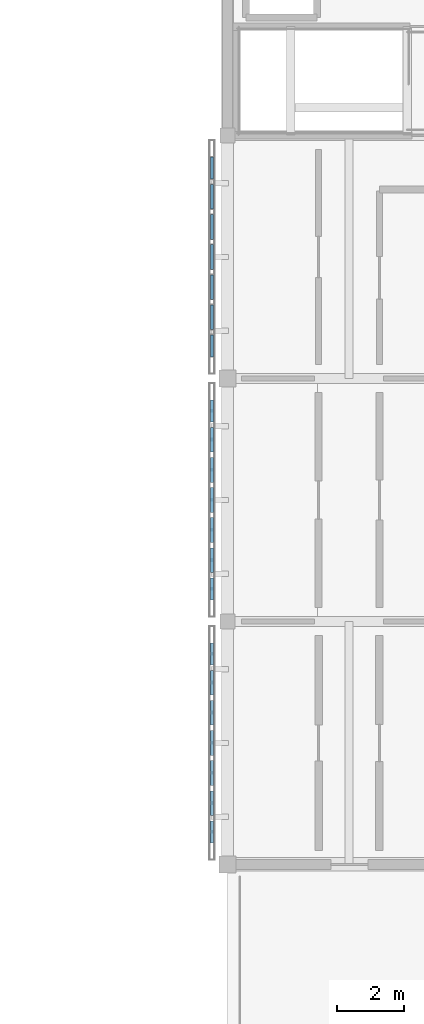
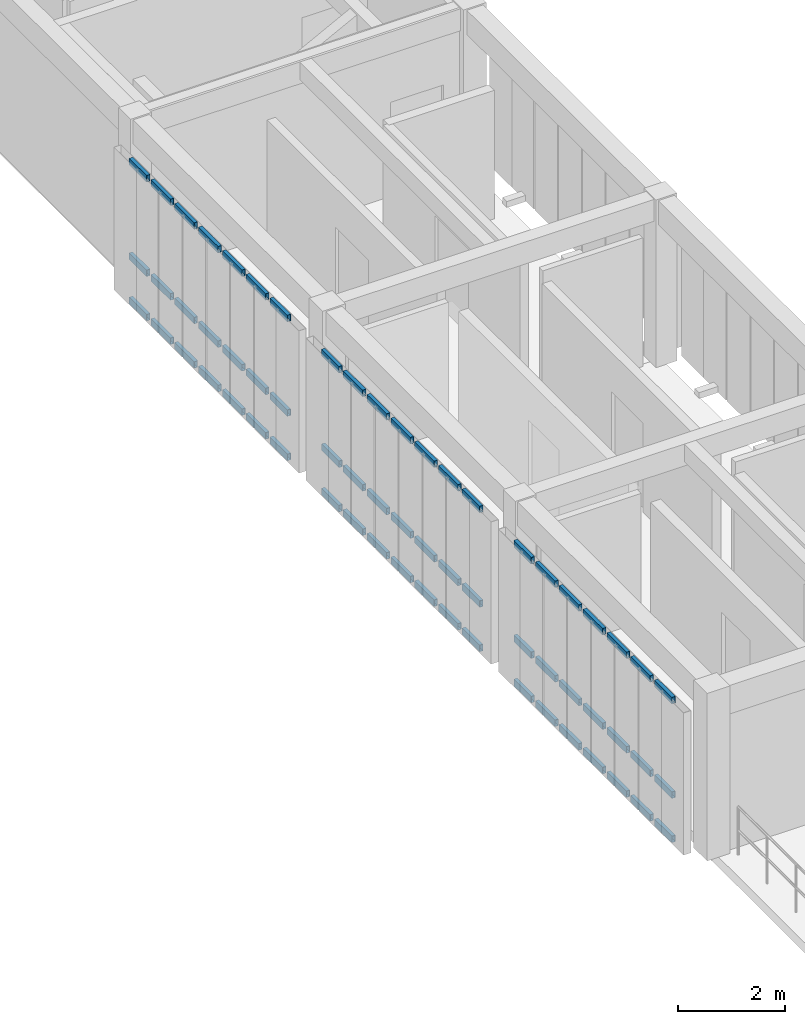
# One storey, part 11 of 33: 63 members, 3 elements without a shape of their own.
"""IFC4 building model written with IfcOpenShell, lengths in metres."""

from ifc_helpers import new_model, si_unit, direction, frame, origin, origin_2d, place, context, subcontext, project, spatial, hollow_rectangle, extrude, material, material_profile, profile_set, type_object, element, aggregate, save


model = new_model("IFC4")

# Units and contexts
model_context = context("Model", 3, precision=1e-05, world=origin(), true_north=direction((0.0, 1.0)))
body_context = subcontext(model_context, "Body", "Model", "MODEL_VIEW")
ifc_project = project(units=[si_unit("LENGTHUNIT", "METRE"), si_unit("AREAUNIT", "SQUARE_METRE"), si_unit("VOLUMEUNIT", "CUBIC_METRE"), si_unit("PLANEANGLEUNIT", "RADIAN"), si_unit("MASSUNIT", "GRAM", prefix="KILO")], contexts=[model_context])

# Site, building, storey
site_placement = place(None, origin())
site = spatial("IfcSite", under=ifc_project, at=site_placement, CompositionType="ELEMENT")
building_placement = place(site_placement, origin())
building = spatial("IfcBuilding", under=site, at=building_placement, Name="Aldebral Square Health Centre", CompositionType="ELEMENT")
storey_placement = place(building_placement, frame((0.0, 0.0, 17.550048828125)))
storey = spatial("IfcBuildingStorey", under=building, at=storey_placement, Name="L04", CompositionType="ELEMENT", Elevation=17.550048828125)

# Curtain wall, members
ifc_material_1 = material(Name="Aluminium and low-E solar glass", Category="aluminium")
curtain_wall_type = type_object("IfcCurtainWallType", Name="CW-FIN-SYS", PredefinedType="USERDEFINED", material=ifc_material_1)
curtain_wall_1_placement = place(storey_placement, origin())
curtain_wall_1 = element("IfcCurtainWall", 1, at=curtain_wall_1_placement, inside=storey, type_object=curtain_wall_type, Name="L04 V5 finned curtain wall L04-V5-22-10-W", ObjectType="SOLAR_CURTAIN_WALL", PredefinedType="USERDEFINED")
ifc_material_2 = material(Name="Anodised aluminium transom", Category="aluminium")
ifc_material_profile = material_profile(ifc_material_2, hollow_rectangle(XDim=0.074951171875, YDim=0.14990234375, WallThickness=0.00390625, at=origin_2d()), Name="CWT 75x150x4")
ifc_profile_set = profile_set([ifc_material_profile], Name="Anodised aluminium transom")
member_type = type_object("IfcMemberType", Name="CWT-STD", PredefinedType="USERDEFINED", material=ifc_profile_set)
member_1_placement = place(storey_placement, frame((157.93994140625, 78.56005859375, 0.037353515625), z_axis=(0.0, -1.0, 0.0), x_axis=(1.0, 0.0, 0.0)))
member_1 = element("IfcMember", 2, at=member_1_placement, type_object=member_type, Name="CW1 transom 1.1", ObjectType="TRANSOM", PredefinedType="USERDEFINED", context=body_context, shape_type="SweptSolid", body=[
    extrude(hollow_rectangle(XDim=0.074951171875, YDim=0.14990234375, WallThickness=0.00390625, at=origin_2d()), origin(), (0.0, 0.0, 1.0), 0.6513671875),
])
member_2_placement = place(storey_placement, frame((157.93994140625, 78.56005859375, 1.050048828125), z_axis=(0.0, -1.0, 0.0), x_axis=(1.0, 0.0, 0.0)))
member_2 = element("IfcMember", 3, at=member_2_placement, type_object=member_type, Name="CW1 transom 1.2", ObjectType="TRANSOM", PredefinedType="USERDEFINED", context=body_context, shape_type="SweptSolid", body=[
    extrude(hollow_rectangle(XDim=0.074951171875, YDim=0.14990234375, WallThickness=0.00390625, at=origin_2d()), origin(), (0.0, 0.0, 1.0), 0.6513671875),
])
member_3_placement = place(storey_placement, frame((157.93994140625, 78.56005859375, 3.21240234375), z_axis=(0.0, -1.0, 0.0), x_axis=(1.0, 0.0, 0.0)))
member_3 = element("IfcMember", 4, at=member_3_placement, type_object=member_type, Name="CW1 transom 1.3", ObjectType="TRANSOM", PredefinedType="USERDEFINED", context=body_context, shape_type="SweptSolid", body=[
    extrude(hollow_rectangle(XDim=0.074951171875, YDim=0.14990234375, WallThickness=0.00390625, at=origin_2d()), origin(), (0.0, 0.0, 1.0), 0.6513671875),
])
member_4_placement = place(storey_placement, frame((157.93994140625, 77.74853515625, 0.037353515625), z_axis=(0.0, -1.0, 0.0), x_axis=(1.0, 0.0, 0.0)))
member_4 = element("IfcMember", 5, at=member_4_placement, type_object=member_type, Name="CW1 transom 2.1", ObjectType="TRANSOM", PredefinedType="USERDEFINED", context=body_context, shape_type="SweptSolid", body=[
    extrude(hollow_rectangle(XDim=0.074951171875, YDim=0.14990234375, WallThickness=0.00390625, at=origin_2d()), origin(), (0.0, 0.0, 1.0), 0.7314453125),
])
member_5_placement = place(storey_placement, frame((157.93994140625, 77.74853515625, 1.050048828125), z_axis=(0.0, -1.0, 0.0), x_axis=(1.0, 0.0, 0.0)))
member_5 = element("IfcMember", 6, at=member_5_placement, type_object=member_type, Name="CW1 transom 2.2", ObjectType="TRANSOM", PredefinedType="USERDEFINED", context=body_context, shape_type="SweptSolid", body=[
    extrude(hollow_rectangle(XDim=0.074951171875, YDim=0.14990234375, WallThickness=0.00390625, at=origin_2d()), origin(), (0.0, 0.0, 1.0), 0.7314453125),
])
member_6_placement = place(storey_placement, frame((157.93994140625, 77.74853515625, 3.21240234375), z_axis=(0.0, -1.0, 0.0), x_axis=(1.0, 0.0, 0.0)))
member_6 = element("IfcMember", 7, at=member_6_placement, type_object=member_type, Name="CW1 transom 2.3", ObjectType="TRANSOM", PredefinedType="USERDEFINED", context=body_context, shape_type="SweptSolid", body=[
    extrude(hollow_rectangle(XDim=0.074951171875, YDim=0.14990234375, WallThickness=0.00390625, at=origin_2d()), origin(), (0.0, 0.0, 1.0), 0.7314453125),
])
member_7_placement = place(storey_placement, frame((157.93994140625, 76.857177734375, 0.037353515625), z_axis=(0.0, -1.0, 0.0), x_axis=(1.0, 0.0, 0.0)))
member_7 = element("IfcMember", 8, at=member_7_placement, type_object=member_type, Name="CW1 transom 3.1", ObjectType="TRANSOM", PredefinedType="USERDEFINED", context=body_context, shape_type="SweptSolid", body=[
    extrude(hollow_rectangle(XDim=0.074951171875, YDim=0.14990234375, WallThickness=0.00390625, at=origin_2d()), origin(), (0.0, 0.0, 1.0), 0.7314453125),
])
member_8_placement = place(storey_placement, frame((157.93994140625, 76.857177734375, 1.050048828125), z_axis=(0.0, -1.0, 0.0), x_axis=(1.0, 0.0, 0.0)))
member_8 = element("IfcMember", 9, at=member_8_placement, type_object=member_type, Name="CW1 transom 3.2", ObjectType="TRANSOM", PredefinedType="USERDEFINED", context=body_context, shape_type="SweptSolid", body=[
    extrude(hollow_rectangle(XDim=0.074951171875, YDim=0.14990234375, WallThickness=0.00390625, at=origin_2d()), origin(), (0.0, 0.0, 1.0), 0.7314453125),
])
member_9_placement = place(storey_placement, frame((157.93994140625, 76.857177734375, 3.21240234375), z_axis=(0.0, -1.0, 0.0), x_axis=(1.0, 0.0, 0.0)))
member_9 = element("IfcMember", 10, at=member_9_placement, type_object=member_type, Name="CW1 transom 3.3", ObjectType="TRANSOM", PredefinedType="USERDEFINED", context=body_context, shape_type="SweptSolid", body=[
    extrude(hollow_rectangle(XDim=0.074951171875, YDim=0.14990234375, WallThickness=0.00390625, at=origin_2d()), origin(), (0.0, 0.0, 1.0), 0.7314453125),
])
member_10_placement = place(storey_placement, frame((157.93994140625, 75.9658203125, 0.037353515625), z_axis=(0.0, -1.0, 0.0), x_axis=(1.0, 0.0, 0.0)))
member_10 = element("IfcMember", 11, at=member_10_placement, type_object=member_type, Name="CW1 transom 4.1", ObjectType="TRANSOM", PredefinedType="USERDEFINED", context=body_context, shape_type="SweptSolid", body=[
    extrude(hollow_rectangle(XDim=0.074951171875, YDim=0.14990234375, WallThickness=0.00390625, at=origin_2d()), origin(), (0.0, 0.0, 1.0), 0.7314453125),
])
member_11_placement = place(storey_placement, frame((157.93994140625, 75.9658203125, 1.050048828125), z_axis=(0.0, -1.0, 0.0), x_axis=(1.0, 0.0, 0.0)))
member_11 = element("IfcMember", 12, at=member_11_placement, type_object=member_type, Name="CW1 transom 4.2", ObjectType="TRANSOM", PredefinedType="USERDEFINED", context=body_context, shape_type="SweptSolid", body=[
    extrude(hollow_rectangle(XDim=0.074951171875, YDim=0.14990234375, WallThickness=0.00390625, at=origin_2d()), origin(), (0.0, 0.0, 1.0), 0.7314453125),
])
member_12_placement = place(storey_placement, frame((157.93994140625, 75.9658203125, 3.21240234375), z_axis=(0.0, -1.0, 0.0), x_axis=(1.0, 0.0, 0.0)))
member_12 = element("IfcMember", 13, at=member_12_placement, type_object=member_type, Name="CW1 transom 4.3", ObjectType="TRANSOM", PredefinedType="USERDEFINED", context=body_context, shape_type="SweptSolid", body=[
    extrude(hollow_rectangle(XDim=0.074951171875, YDim=0.14990234375, WallThickness=0.00390625, at=origin_2d()), origin(), (0.0, 0.0, 1.0), 0.7314453125),
])
member_13_placement = place(storey_placement, frame((157.93994140625, 75.07421875, 0.037353515625), z_axis=(0.0, -1.0, 0.0), x_axis=(1.0, 0.0, 0.0)))
member_13 = element("IfcMember", 14, at=member_13_placement, type_object=member_type, Name="CW1 transom 5.1", ObjectType="TRANSOM", PredefinedType="USERDEFINED", context=body_context, shape_type="SweptSolid", body=[
    extrude(hollow_rectangle(XDim=0.074951171875, YDim=0.14990234375, WallThickness=0.00390625, at=origin_2d()), origin(), (0.0, 0.0, 1.0), 0.7314453125),
])
member_14_placement = place(storey_placement, frame((157.93994140625, 75.07421875, 1.050048828125), z_axis=(0.0, -1.0, 0.0), x_axis=(1.0, 0.0, 0.0)))
member_14 = element("IfcMember", 15, at=member_14_placement, type_object=member_type, Name="CW1 transom 5.2", ObjectType="TRANSOM", PredefinedType="USERDEFINED", context=body_context, shape_type="SweptSolid", body=[
    extrude(hollow_rectangle(XDim=0.074951171875, YDim=0.14990234375, WallThickness=0.00390625, at=origin_2d()), origin(), (0.0, 0.0, 1.0), 0.7314453125),
])
member_15_placement = place(storey_placement, frame((157.93994140625, 75.07421875, 3.21240234375), z_axis=(0.0, -1.0, 0.0), x_axis=(1.0, 0.0, 0.0)))
member_15 = element("IfcMember", 16, at=member_15_placement, type_object=member_type, Name="CW1 transom 5.3", ObjectType="TRANSOM", PredefinedType="USERDEFINED", context=body_context, shape_type="SweptSolid", body=[
    extrude(hollow_rectangle(XDim=0.074951171875, YDim=0.14990234375, WallThickness=0.00390625, at=origin_2d()), origin(), (0.0, 0.0, 1.0), 0.7314453125),
])
member_16_placement = place(storey_placement, frame((157.93994140625, 74.182861328125, 0.037353515625), z_axis=(0.0, -1.0, 0.0), x_axis=(1.0, 0.0, 0.0)))
member_16 = element("IfcMember", 17, at=member_16_placement, type_object=member_type, Name="CW1 transom 6.1", ObjectType="TRANSOM", PredefinedType="USERDEFINED", context=body_context, shape_type="SweptSolid", body=[
    extrude(hollow_rectangle(XDim=0.074951171875, YDim=0.14990234375, WallThickness=0.00390625, at=origin_2d()), origin(), (0.0, 0.0, 1.0), 0.7314453125),
])
member_17_placement = place(storey_placement, frame((157.93994140625, 74.182861328125, 1.050048828125), z_axis=(0.0, -1.0, 0.0), x_axis=(1.0, 0.0, 0.0)))
member_17 = element("IfcMember", 18, at=member_17_placement, type_object=member_type, Name="CW1 transom 6.2", ObjectType="TRANSOM", PredefinedType="USERDEFINED", context=body_context, shape_type="SweptSolid", body=[
    extrude(hollow_rectangle(XDim=0.074951171875, YDim=0.14990234375, WallThickness=0.00390625, at=origin_2d()), origin(), (0.0, 0.0, 1.0), 0.7314453125),
])
member_18_placement = place(storey_placement, frame((157.93994140625, 74.182861328125, 3.21240234375), z_axis=(0.0, -1.0, 0.0), x_axis=(1.0, 0.0, 0.0)))
member_18 = element("IfcMember", 19, at=member_18_placement, type_object=member_type, Name="CW1 transom 6.3", ObjectType="TRANSOM", PredefinedType="USERDEFINED", context=body_context, shape_type="SweptSolid", body=[
    extrude(hollow_rectangle(XDim=0.074951171875, YDim=0.14990234375, WallThickness=0.00390625, at=origin_2d()), origin(), (0.0, 0.0, 1.0), 0.7314453125),
])
member_19_placement = place(storey_placement, frame((157.93994140625, 73.29150390625, 0.037353515625), z_axis=(0.0, -1.0, 0.0), x_axis=(1.0, 0.0, 0.0)))
member_19 = element("IfcMember", 20, at=member_19_placement, type_object=member_type, Name="CW1 transom 7.1", ObjectType="TRANSOM", PredefinedType="USERDEFINED", context=body_context, shape_type="SweptSolid", body=[
    extrude(hollow_rectangle(XDim=0.074951171875, YDim=0.14990234375, WallThickness=0.00390625, at=origin_2d()), origin(), (0.0, 0.0, 1.0), 0.651611328125),
])
member_20_placement = place(storey_placement, frame((157.93994140625, 73.29150390625, 1.050048828125), z_axis=(0.0, -1.0, 0.0), x_axis=(1.0, 0.0, 0.0)))
member_20 = element("IfcMember", 21, at=member_20_placement, type_object=member_type, Name="CW1 transom 7.2", ObjectType="TRANSOM", PredefinedType="USERDEFINED", context=body_context, shape_type="SweptSolid", body=[
    extrude(hollow_rectangle(XDim=0.074951171875, YDim=0.14990234375, WallThickness=0.00390625, at=origin_2d()), origin(), (0.0, 0.0, 1.0), 0.651611328125),
])
member_21_placement = place(storey_placement, frame((157.93994140625, 73.29150390625, 3.21240234375), z_axis=(0.0, -1.0, 0.0), x_axis=(1.0, 0.0, 0.0)))
member_21 = element("IfcMember", 22, at=member_21_placement, type_object=member_type, Name="CW1 transom 7.3", ObjectType="TRANSOM", PredefinedType="USERDEFINED", context=body_context, shape_type="SweptSolid", body=[
    extrude(hollow_rectangle(XDim=0.074951171875, YDim=0.14990234375, WallThickness=0.00390625, at=origin_2d()), origin(), (0.0, 0.0, 1.0), 0.651611328125),
])
aggregate(curtain_wall_1, [member_1, member_2, member_3, member_4, member_5, member_6, member_7, member_8, member_9, member_10, member_11, member_12, member_13, member_14, member_15, member_16, member_17, member_18, member_19, member_20, member_21])

curtain_wall_2_placement = place(storey_placement, origin())
curtain_wall_2 = element("IfcCurtainWall", 23, at=curtain_wall_2_placement, inside=storey, type_object=curtain_wall_type, Name="L04 V5 finned curtain wall L04-V5-22-11-W", ObjectType="SOLAR_CURTAIN_WALL", PredefinedType="USERDEFINED")
member_22_placement = place(storey_placement, frame((157.93994140625, 85.760009765625, 0.037353515625), z_axis=(0.0, -1.0, 0.0), x_axis=(1.0, 0.0, 0.0)))
member_22 = element("IfcMember", 24, at=member_22_placement, type_object=member_type, Name="CW1 transom 1.1", ObjectType="TRANSOM", PredefinedType="USERDEFINED", context=body_context, shape_type="SweptSolid", body=[
    extrude(hollow_rectangle(XDim=0.074951171875, YDim=0.14990234375, WallThickness=0.00390625, at=origin_2d()), origin(), (0.0, 0.0, 1.0), 0.6513671875),
])
member_23_placement = place(storey_placement, frame((157.93994140625, 85.760009765625, 1.050048828125), z_axis=(0.0, -1.0, 0.0), x_axis=(1.0, 0.0, 0.0)))
member_23 = element("IfcMember", 25, at=member_23_placement, type_object=member_type, Name="CW1 transom 1.2", ObjectType="TRANSOM", PredefinedType="USERDEFINED", context=body_context, shape_type="SweptSolid", body=[
    extrude(hollow_rectangle(XDim=0.074951171875, YDim=0.14990234375, WallThickness=0.00390625, at=origin_2d()), origin(), (0.0, 0.0, 1.0), 0.6513671875),
])
member_24_placement = place(storey_placement, frame((157.93994140625, 85.760009765625, 3.21240234375), z_axis=(0.0, -1.0, 0.0), x_axis=(1.0, 0.0, 0.0)))
member_24 = element("IfcMember", 26, at=member_24_placement, type_object=member_type, Name="CW1 transom 1.3", ObjectType="TRANSOM", PredefinedType="USERDEFINED", context=body_context, shape_type="SweptSolid", body=[
    extrude(hollow_rectangle(XDim=0.074951171875, YDim=0.14990234375, WallThickness=0.00390625, at=origin_2d()), origin(), (0.0, 0.0, 1.0), 0.6513671875),
])
member_25_placement = place(storey_placement, frame((157.93994140625, 84.948486328125, 0.037353515625), z_axis=(0.0, -1.0, 0.0), x_axis=(1.0, 0.0, 0.0)))
member_25 = element("IfcMember", 27, at=member_25_placement, type_object=member_type, Name="CW1 transom 2.1", ObjectType="TRANSOM", PredefinedType="USERDEFINED", context=body_context, shape_type="SweptSolid", body=[
    extrude(hollow_rectangle(XDim=0.074951171875, YDim=0.14990234375, WallThickness=0.00390625, at=origin_2d()), origin(), (0.0, 0.0, 1.0), 0.7314453125),
])
member_26_placement = place(storey_placement, frame((157.93994140625, 84.948486328125, 1.050048828125), z_axis=(0.0, -1.0, 0.0), x_axis=(1.0, 0.0, 0.0)))
member_26 = element("IfcMember", 28, at=member_26_placement, type_object=member_type, Name="CW1 transom 2.2", ObjectType="TRANSOM", PredefinedType="USERDEFINED", context=body_context, shape_type="SweptSolid", body=[
    extrude(hollow_rectangle(XDim=0.074951171875, YDim=0.14990234375, WallThickness=0.00390625, at=origin_2d()), origin(), (0.0, 0.0, 1.0), 0.7314453125),
])
member_27_placement = place(storey_placement, frame((157.93994140625, 84.948486328125, 3.21240234375), z_axis=(0.0, -1.0, 0.0), x_axis=(1.0, 0.0, 0.0)))
member_27 = element("IfcMember", 29, at=member_27_placement, type_object=member_type, Name="CW1 transom 2.3", ObjectType="TRANSOM", PredefinedType="USERDEFINED", context=body_context, shape_type="SweptSolid", body=[
    extrude(hollow_rectangle(XDim=0.074951171875, YDim=0.14990234375, WallThickness=0.00390625, at=origin_2d()), origin(), (0.0, 0.0, 1.0), 0.7314453125),
])
member_28_placement = place(storey_placement, frame((157.93994140625, 84.05712890625, 0.037353515625), z_axis=(0.0, -1.0, 0.0), x_axis=(1.0, 0.0, 0.0)))
member_28 = element("IfcMember", 30, at=member_28_placement, type_object=member_type, Name="CW1 transom 3.1", ObjectType="TRANSOM", PredefinedType="USERDEFINED", context=body_context, shape_type="SweptSolid", body=[
    extrude(hollow_rectangle(XDim=0.074951171875, YDim=0.14990234375, WallThickness=0.00390625, at=origin_2d()), origin(), (0.0, 0.0, 1.0), 0.7314453125),
])
member_29_placement = place(storey_placement, frame((157.93994140625, 84.05712890625, 1.050048828125), z_axis=(0.0, -1.0, 0.0), x_axis=(1.0, 0.0, 0.0)))
member_29 = element("IfcMember", 31, at=member_29_placement, type_object=member_type, Name="CW1 transom 3.2", ObjectType="TRANSOM", PredefinedType="USERDEFINED", context=body_context, shape_type="SweptSolid", body=[
    extrude(hollow_rectangle(XDim=0.074951171875, YDim=0.14990234375, WallThickness=0.00390625, at=origin_2d()), origin(), (0.0, 0.0, 1.0), 0.7314453125),
])
member_30_placement = place(storey_placement, frame((157.93994140625, 84.05712890625, 3.21240234375), z_axis=(0.0, -1.0, 0.0), x_axis=(1.0, 0.0, 0.0)))
member_30 = element("IfcMember", 32, at=member_30_placement, type_object=member_type, Name="CW1 transom 3.3", ObjectType="TRANSOM", PredefinedType="USERDEFINED", context=body_context, shape_type="SweptSolid", body=[
    extrude(hollow_rectangle(XDim=0.074951171875, YDim=0.14990234375, WallThickness=0.00390625, at=origin_2d()), origin(), (0.0, 0.0, 1.0), 0.7314453125),
])
member_31_placement = place(storey_placement, frame((157.93994140625, 83.165771484375, 0.037353515625), z_axis=(0.0, -1.0, 0.0), x_axis=(1.0, 0.0, 0.0)))
member_31 = element("IfcMember", 33, at=member_31_placement, type_object=member_type, Name="CW1 transom 4.1", ObjectType="TRANSOM", PredefinedType="USERDEFINED", context=body_context, shape_type="SweptSolid", body=[
    extrude(hollow_rectangle(XDim=0.074951171875, YDim=0.14990234375, WallThickness=0.00390625, at=origin_2d()), origin(), (0.0, 0.0, 1.0), 0.7314453125),
])
member_32_placement = place(storey_placement, frame((157.93994140625, 83.165771484375, 1.050048828125), z_axis=(0.0, -1.0, 0.0), x_axis=(1.0, 0.0, 0.0)))
member_32 = element("IfcMember", 34, at=member_32_placement, type_object=member_type, Name="CW1 transom 4.2", ObjectType="TRANSOM", PredefinedType="USERDEFINED", context=body_context, shape_type="SweptSolid", body=[
    extrude(hollow_rectangle(XDim=0.074951171875, YDim=0.14990234375, WallThickness=0.00390625, at=origin_2d()), origin(), (0.0, 0.0, 1.0), 0.7314453125),
])
member_33_placement = place(storey_placement, frame((157.93994140625, 83.165771484375, 3.21240234375), z_axis=(0.0, -1.0, 0.0), x_axis=(1.0, 0.0, 0.0)))
member_33 = element("IfcMember", 35, at=member_33_placement, type_object=member_type, Name="CW1 transom 4.3", ObjectType="TRANSOM", PredefinedType="USERDEFINED", context=body_context, shape_type="SweptSolid", body=[
    extrude(hollow_rectangle(XDim=0.074951171875, YDim=0.14990234375, WallThickness=0.00390625, at=origin_2d()), origin(), (0.0, 0.0, 1.0), 0.7314453125),
])
member_34_placement = place(storey_placement, frame((157.93994140625, 82.274169921875, 0.037353515625), z_axis=(0.0, -1.0, 0.0), x_axis=(1.0, 0.0, 0.0)))
member_34 = element("IfcMember", 36, at=member_34_placement, type_object=member_type, Name="CW1 transom 5.1", ObjectType="TRANSOM", PredefinedType="USERDEFINED", context=body_context, shape_type="SweptSolid", body=[
    extrude(hollow_rectangle(XDim=0.074951171875, YDim=0.14990234375, WallThickness=0.00390625, at=origin_2d()), origin(), (0.0, 0.0, 1.0), 0.731201171875),
])
member_35_placement = place(storey_placement, frame((157.93994140625, 82.274169921875, 1.050048828125), z_axis=(0.0, -1.0, 0.0), x_axis=(1.0, 0.0, 0.0)))
member_35 = element("IfcMember", 37, at=member_35_placement, type_object=member_type, Name="CW1 transom 5.2", ObjectType="TRANSOM", PredefinedType="USERDEFINED", context=body_context, shape_type="SweptSolid", body=[
    extrude(hollow_rectangle(XDim=0.074951171875, YDim=0.14990234375, WallThickness=0.00390625, at=origin_2d()), origin(), (0.0, 0.0, 1.0), 0.731201171875),
])
member_36_placement = place(storey_placement, frame((157.93994140625, 82.274169921875, 3.21240234375), z_axis=(0.0, -1.0, 0.0), x_axis=(1.0, 0.0, 0.0)))
member_36 = element("IfcMember", 38, at=member_36_placement, type_object=member_type, Name="CW1 transom 5.3", ObjectType="TRANSOM", PredefinedType="USERDEFINED", context=body_context, shape_type="SweptSolid", body=[
    extrude(hollow_rectangle(XDim=0.074951171875, YDim=0.14990234375, WallThickness=0.00390625, at=origin_2d()), origin(), (0.0, 0.0, 1.0), 0.731201171875),
])
member_37_placement = place(storey_placement, frame((157.93994140625, 81.3828125, 0.037353515625), z_axis=(0.0, -1.0, 0.0), x_axis=(1.0, 0.0, 0.0)))
member_37 = element("IfcMember", 39, at=member_37_placement, type_object=member_type, Name="CW1 transom 6.1", ObjectType="TRANSOM", PredefinedType="USERDEFINED", context=body_context, shape_type="SweptSolid", body=[
    extrude(hollow_rectangle(XDim=0.074951171875, YDim=0.14990234375, WallThickness=0.00390625, at=origin_2d()), origin(), (0.0, 0.0, 1.0), 0.7314453125),
])
member_38_placement = place(storey_placement, frame((157.93994140625, 81.3828125, 1.050048828125), z_axis=(0.0, -1.0, 0.0), x_axis=(1.0, 0.0, 0.0)))
member_38 = element("IfcMember", 40, at=member_38_placement, type_object=member_type, Name="CW1 transom 6.2", ObjectType="TRANSOM", PredefinedType="USERDEFINED", context=body_context, shape_type="SweptSolid", body=[
    extrude(hollow_rectangle(XDim=0.074951171875, YDim=0.14990234375, WallThickness=0.00390625, at=origin_2d()), origin(), (0.0, 0.0, 1.0), 0.7314453125),
])
member_39_placement = place(storey_placement, frame((157.93994140625, 81.3828125, 3.21240234375), z_axis=(0.0, -1.0, 0.0), x_axis=(1.0, 0.0, 0.0)))
member_39 = element("IfcMember", 41, at=member_39_placement, type_object=member_type, Name="CW1 transom 6.3", ObjectType="TRANSOM", PredefinedType="USERDEFINED", context=body_context, shape_type="SweptSolid", body=[
    extrude(hollow_rectangle(XDim=0.074951171875, YDim=0.14990234375, WallThickness=0.00390625, at=origin_2d()), origin(), (0.0, 0.0, 1.0), 0.7314453125),
])
member_40_placement = place(storey_placement, frame((157.93994140625, 80.491455078125, 0.037353515625), z_axis=(0.0, -1.0, 0.0), x_axis=(1.0, 0.0, 0.0)))
member_40 = element("IfcMember", 42, at=member_40_placement, type_object=member_type, Name="CW1 transom 7.1", ObjectType="TRANSOM", PredefinedType="USERDEFINED", context=body_context, shape_type="SweptSolid", body=[
    extrude(hollow_rectangle(XDim=0.074951171875, YDim=0.14990234375, WallThickness=0.00390625, at=origin_2d()), origin(), (0.0, 0.0, 1.0), 0.6513671875),
])
member_41_placement = place(storey_placement, frame((157.93994140625, 80.491455078125, 1.050048828125), z_axis=(0.0, -1.0, 0.0), x_axis=(1.0, 0.0, 0.0)))
member_41 = element("IfcMember", 43, at=member_41_placement, type_object=member_type, Name="CW1 transom 7.2", ObjectType="TRANSOM", PredefinedType="USERDEFINED", context=body_context, shape_type="SweptSolid", body=[
    extrude(hollow_rectangle(XDim=0.074951171875, YDim=0.14990234375, WallThickness=0.00390625, at=origin_2d()), origin(), (0.0, 0.0, 1.0), 0.6513671875),
])
member_42_placement = place(storey_placement, frame((157.93994140625, 80.491455078125, 3.21240234375), z_axis=(0.0, -1.0, 0.0), x_axis=(1.0, 0.0, 0.0)))
member_42 = element("IfcMember", 44, at=member_42_placement, type_object=member_type, Name="CW1 transom 7.3", ObjectType="TRANSOM", PredefinedType="USERDEFINED", context=body_context, shape_type="SweptSolid", body=[
    extrude(hollow_rectangle(XDim=0.074951171875, YDim=0.14990234375, WallThickness=0.00390625, at=origin_2d()), origin(), (0.0, 0.0, 1.0), 0.6513671875),
])
aggregate(curtain_wall_2, [member_22, member_23, member_24, member_25, member_26, member_27, member_28, member_29, member_30, member_31, member_32, member_33, member_34, member_35, member_36, member_37, member_38, member_39, member_40, member_41, member_42])

curtain_wall_3_placement = place(storey_placement, origin())
curtain_wall_3 = element("IfcCurtainWall", 45, at=curtain_wall_3_placement, inside=storey, type_object=curtain_wall_type, Name="L04 V5 finned curtain wall L04-V5-22-12-W", ObjectType="SOLAR_CURTAIN_WALL", PredefinedType="USERDEFINED")
member_43_placement = place(storey_placement, frame((157.93994140625, 92.9599609375, 0.037353515625), z_axis=(0.0, -1.0, 0.0), x_axis=(1.0, 0.0, 0.0)))
member_43 = element("IfcMember", 46, at=member_43_placement, type_object=member_type, Name="CW1 transom 1.1", ObjectType="TRANSOM", PredefinedType="USERDEFINED", context=body_context, shape_type="SweptSolid", body=[
    extrude(hollow_rectangle(XDim=0.074951171875, YDim=0.14990234375, WallThickness=0.00390625, at=origin_2d()), origin(), (0.0, 0.0, 1.0), 0.6513671875),
])
member_44_placement = place(storey_placement, frame((157.93994140625, 92.9599609375, 1.050048828125), z_axis=(0.0, -1.0, 0.0), x_axis=(1.0, 0.0, 0.0)))
member_44 = element("IfcMember", 47, at=member_44_placement, type_object=member_type, Name="CW1 transom 1.2", ObjectType="TRANSOM", PredefinedType="USERDEFINED", context=body_context, shape_type="SweptSolid", body=[
    extrude(hollow_rectangle(XDim=0.074951171875, YDim=0.14990234375, WallThickness=0.00390625, at=origin_2d()), origin(), (0.0, 0.0, 1.0), 0.6513671875),
])
member_45_placement = place(storey_placement, frame((157.93994140625, 92.9599609375, 3.21240234375), z_axis=(0.0, -1.0, 0.0), x_axis=(1.0, 0.0, 0.0)))
member_45 = element("IfcMember", 48, at=member_45_placement, type_object=member_type, Name="CW1 transom 1.3", ObjectType="TRANSOM", PredefinedType="USERDEFINED", context=body_context, shape_type="SweptSolid", body=[
    extrude(hollow_rectangle(XDim=0.074951171875, YDim=0.14990234375, WallThickness=0.00390625, at=origin_2d()), origin(), (0.0, 0.0, 1.0), 0.6513671875),
])
member_46_placement = place(storey_placement, frame((157.93994140625, 92.148681640625, 0.037353515625), z_axis=(0.0, -1.0, 0.0), x_axis=(1.0, 0.0, 0.0)))
member_46 = element("IfcMember", 49, at=member_46_placement, type_object=member_type, Name="CW1 transom 2.1", ObjectType="TRANSOM", PredefinedType="USERDEFINED", context=body_context, shape_type="SweptSolid", body=[
    extrude(hollow_rectangle(XDim=0.074951171875, YDim=0.14990234375, WallThickness=0.00390625, at=origin_2d()), origin(), (0.0, 0.0, 1.0), 0.7314453125),
])
member_47_placement = place(storey_placement, frame((157.93994140625, 92.148681640625, 1.050048828125), z_axis=(0.0, -1.0, 0.0), x_axis=(1.0, 0.0, 0.0)))
member_47 = element("IfcMember", 50, at=member_47_placement, type_object=member_type, Name="CW1 transom 2.2", ObjectType="TRANSOM", PredefinedType="USERDEFINED", context=body_context, shape_type="SweptSolid", body=[
    extrude(hollow_rectangle(XDim=0.074951171875, YDim=0.14990234375, WallThickness=0.00390625, at=origin_2d()), origin(), (0.0, 0.0, 1.0), 0.7314453125),
])
member_48_placement = place(storey_placement, frame((157.93994140625, 92.148681640625, 3.21240234375), z_axis=(0.0, -1.0, 0.0), x_axis=(1.0, 0.0, 0.0)))
member_48 = element("IfcMember", 51, at=member_48_placement, type_object=member_type, Name="CW1 transom 2.3", ObjectType="TRANSOM", PredefinedType="USERDEFINED", context=body_context, shape_type="SweptSolid", body=[
    extrude(hollow_rectangle(XDim=0.074951171875, YDim=0.14990234375, WallThickness=0.00390625, at=origin_2d()), origin(), (0.0, 0.0, 1.0), 0.7314453125),
])
member_49_placement = place(storey_placement, frame((157.93994140625, 91.257080078125, 0.037353515625), z_axis=(0.0, -1.0, 0.0), x_axis=(1.0, 0.0, 0.0)))
member_49 = element("IfcMember", 52, at=member_49_placement, type_object=member_type, Name="CW1 transom 3.1", ObjectType="TRANSOM", PredefinedType="USERDEFINED", context=body_context, shape_type="SweptSolid", body=[
    extrude(hollow_rectangle(XDim=0.074951171875, YDim=0.14990234375, WallThickness=0.00390625, at=origin_2d()), origin(), (0.0, 0.0, 1.0), 0.7314453125),
])
member_50_placement = place(storey_placement, frame((157.93994140625, 91.257080078125, 1.050048828125), z_axis=(0.0, -1.0, 0.0), x_axis=(1.0, 0.0, 0.0)))
member_50 = element("IfcMember", 53, at=member_50_placement, type_object=member_type, Name="CW1 transom 3.2", ObjectType="TRANSOM", PredefinedType="USERDEFINED", context=body_context, shape_type="SweptSolid", body=[
    extrude(hollow_rectangle(XDim=0.074951171875, YDim=0.14990234375, WallThickness=0.00390625, at=origin_2d()), origin(), (0.0, 0.0, 1.0), 0.7314453125),
])
member_51_placement = place(storey_placement, frame((157.93994140625, 91.257080078125, 3.21240234375), z_axis=(0.0, -1.0, 0.0), x_axis=(1.0, 0.0, 0.0)))
member_51 = element("IfcMember", 54, at=member_51_placement, type_object=member_type, Name="CW1 transom 3.3", ObjectType="TRANSOM", PredefinedType="USERDEFINED", context=body_context, shape_type="SweptSolid", body=[
    extrude(hollow_rectangle(XDim=0.074951171875, YDim=0.14990234375, WallThickness=0.00390625, at=origin_2d()), origin(), (0.0, 0.0, 1.0), 0.7314453125),
])
member_52_placement = place(storey_placement, frame((157.93994140625, 90.36572265625, 0.037353515625), z_axis=(0.0, -1.0, 0.0), x_axis=(1.0, 0.0, 0.0)))
member_52 = element("IfcMember", 55, at=member_52_placement, type_object=member_type, Name="CW1 transom 4.1", ObjectType="TRANSOM", PredefinedType="USERDEFINED", context=body_context, shape_type="SweptSolid", body=[
    extrude(hollow_rectangle(XDim=0.074951171875, YDim=0.14990234375, WallThickness=0.00390625, at=origin_2d()), origin(), (0.0, 0.0, 1.0), 0.7314453125),
])
member_53_placement = place(storey_placement, frame((157.93994140625, 90.36572265625, 1.050048828125), z_axis=(0.0, -1.0, 0.0), x_axis=(1.0, 0.0, 0.0)))
member_53 = element("IfcMember", 56, at=member_53_placement, type_object=member_type, Name="CW1 transom 4.2", ObjectType="TRANSOM", PredefinedType="USERDEFINED", context=body_context, shape_type="SweptSolid", body=[
    extrude(hollow_rectangle(XDim=0.074951171875, YDim=0.14990234375, WallThickness=0.00390625, at=origin_2d()), origin(), (0.0, 0.0, 1.0), 0.7314453125),
])
member_54_placement = place(storey_placement, frame((157.93994140625, 90.36572265625, 3.21240234375), z_axis=(0.0, -1.0, 0.0), x_axis=(1.0, 0.0, 0.0)))
member_54 = element("IfcMember", 57, at=member_54_placement, type_object=member_type, Name="CW1 transom 4.3", ObjectType="TRANSOM", PredefinedType="USERDEFINED", context=body_context, shape_type="SweptSolid", body=[
    extrude(hollow_rectangle(XDim=0.074951171875, YDim=0.14990234375, WallThickness=0.00390625, at=origin_2d()), origin(), (0.0, 0.0, 1.0), 0.7314453125),
])
member_55_placement = place(storey_placement, frame((157.93994140625, 89.474365234375, 0.037353515625), z_axis=(0.0, -1.0, 0.0), x_axis=(1.0, 0.0, 0.0)))
member_55 = element("IfcMember", 58, at=member_55_placement, type_object=member_type, Name="CW1 transom 5.1", ObjectType="TRANSOM", PredefinedType="USERDEFINED", context=body_context, shape_type="SweptSolid", body=[
    extrude(hollow_rectangle(XDim=0.074951171875, YDim=0.14990234375, WallThickness=0.00390625, at=origin_2d()), origin(), (0.0, 0.0, 1.0), 0.7314453125),
])
member_56_placement = place(storey_placement, frame((157.93994140625, 89.474365234375, 1.050048828125), z_axis=(0.0, -1.0, 0.0), x_axis=(1.0, 0.0, 0.0)))
member_56 = element("IfcMember", 59, at=member_56_placement, type_object=member_type, Name="CW1 transom 5.2", ObjectType="TRANSOM", PredefinedType="USERDEFINED", context=body_context, shape_type="SweptSolid", body=[
    extrude(hollow_rectangle(XDim=0.074951171875, YDim=0.14990234375, WallThickness=0.00390625, at=origin_2d()), origin(), (0.0, 0.0, 1.0), 0.7314453125),
])
member_57_placement = place(storey_placement, frame((157.93994140625, 89.474365234375, 3.21240234375), z_axis=(0.0, -1.0, 0.0), x_axis=(1.0, 0.0, 0.0)))
member_57 = element("IfcMember", 60, at=member_57_placement, type_object=member_type, Name="CW1 transom 5.3", ObjectType="TRANSOM", PredefinedType="USERDEFINED", context=body_context, shape_type="SweptSolid", body=[
    extrude(hollow_rectangle(XDim=0.074951171875, YDim=0.14990234375, WallThickness=0.00390625, at=origin_2d()), origin(), (0.0, 0.0, 1.0), 0.7314453125),
])
member_58_placement = place(storey_placement, frame((157.93994140625, 88.582763671875, 0.037353515625), z_axis=(0.0, -1.0, 0.0), x_axis=(1.0, 0.0, 0.0)))
member_58 = element("IfcMember", 61, at=member_58_placement, type_object=member_type, Name="CW1 transom 6.1", ObjectType="TRANSOM", PredefinedType="USERDEFINED", context=body_context, shape_type="SweptSolid", body=[
    extrude(hollow_rectangle(XDim=0.074951171875, YDim=0.14990234375, WallThickness=0.00390625, at=origin_2d()), origin(), (0.0, 0.0, 1.0), 0.7314453125),
])
member_59_placement = place(storey_placement, frame((157.93994140625, 88.582763671875, 1.050048828125), z_axis=(0.0, -1.0, 0.0), x_axis=(1.0, 0.0, 0.0)))
member_59 = element("IfcMember", 62, at=member_59_placement, type_object=member_type, Name="CW1 transom 6.2", ObjectType="TRANSOM", PredefinedType="USERDEFINED", context=body_context, shape_type="SweptSolid", body=[
    extrude(hollow_rectangle(XDim=0.074951171875, YDim=0.14990234375, WallThickness=0.00390625, at=origin_2d()), origin(), (0.0, 0.0, 1.0), 0.7314453125),
])
member_60_placement = place(storey_placement, frame((157.93994140625, 88.582763671875, 3.21240234375), z_axis=(0.0, -1.0, 0.0), x_axis=(1.0, 0.0, 0.0)))
member_60 = element("IfcMember", 63, at=member_60_placement, type_object=member_type, Name="CW1 transom 6.3", ObjectType="TRANSOM", PredefinedType="USERDEFINED", context=body_context, shape_type="SweptSolid", body=[
    extrude(hollow_rectangle(XDim=0.074951171875, YDim=0.14990234375, WallThickness=0.00390625, at=origin_2d()), origin(), (0.0, 0.0, 1.0), 0.7314453125),
])
member_61_placement = place(storey_placement, frame((157.93994140625, 87.69140625, 0.037353515625), z_axis=(0.0, -1.0, 0.0), x_axis=(1.0, 0.0, 0.0)))
member_61 = element("IfcMember", 64, at=member_61_placement, type_object=member_type, Name="CW1 transom 7.1", ObjectType="TRANSOM", PredefinedType="USERDEFINED", context=body_context, shape_type="SweptSolid", body=[
    extrude(hollow_rectangle(XDim=0.074951171875, YDim=0.14990234375, WallThickness=0.00390625, at=origin_2d()), origin(), (0.0, 0.0, 1.0), 0.6513671875),
])
member_62_placement = place(storey_placement, frame((157.93994140625, 87.69140625, 1.050048828125), z_axis=(0.0, -1.0, 0.0), x_axis=(1.0, 0.0, 0.0)))
member_62 = element("IfcMember", 65, at=member_62_placement, type_object=member_type, Name="CW1 transom 7.2", ObjectType="TRANSOM", PredefinedType="USERDEFINED", context=body_context, shape_type="SweptSolid", body=[
    extrude(hollow_rectangle(XDim=0.074951171875, YDim=0.14990234375, WallThickness=0.00390625, at=origin_2d()), origin(), (0.0, 0.0, 1.0), 0.6513671875),
])
member_63_placement = place(storey_placement, frame((157.93994140625, 87.69140625, 3.21240234375), z_axis=(0.0, -1.0, 0.0), x_axis=(1.0, 0.0, 0.0)))
member_63 = element("IfcMember", 66, at=member_63_placement, type_object=member_type, Name="CW1 transom 7.3", ObjectType="TRANSOM", PredefinedType="USERDEFINED", context=body_context, shape_type="SweptSolid", body=[
    extrude(hollow_rectangle(XDim=0.074951171875, YDim=0.14990234375, WallThickness=0.00390625, at=origin_2d()), origin(), (0.0, 0.0, 1.0), 0.6513671875),
])
aggregate(curtain_wall_3, [member_43, member_44, member_45, member_46, member_47, member_48, member_49, member_50, member_51, member_52, member_53, member_54, member_55, member_56, member_57, member_58, member_59, member_60, member_61, member_62, member_63])

save(model, "model.ifc")
